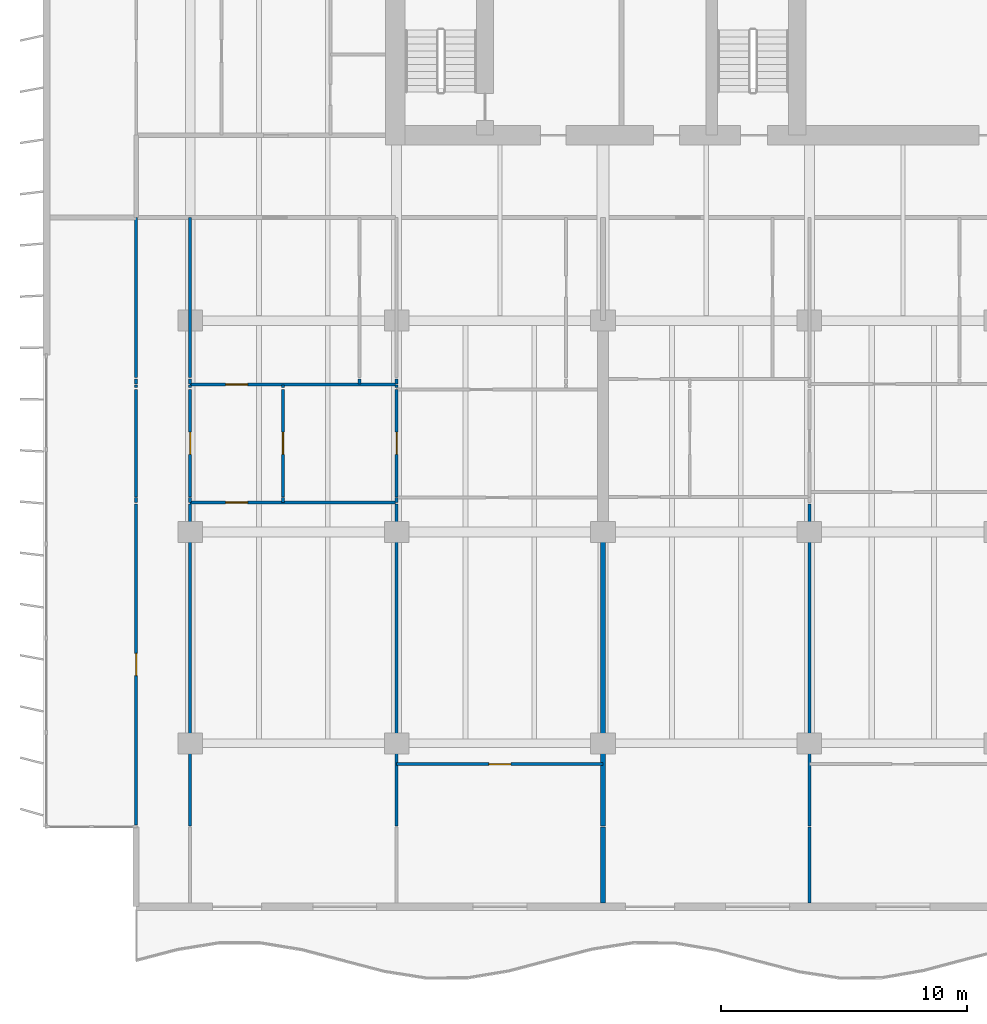
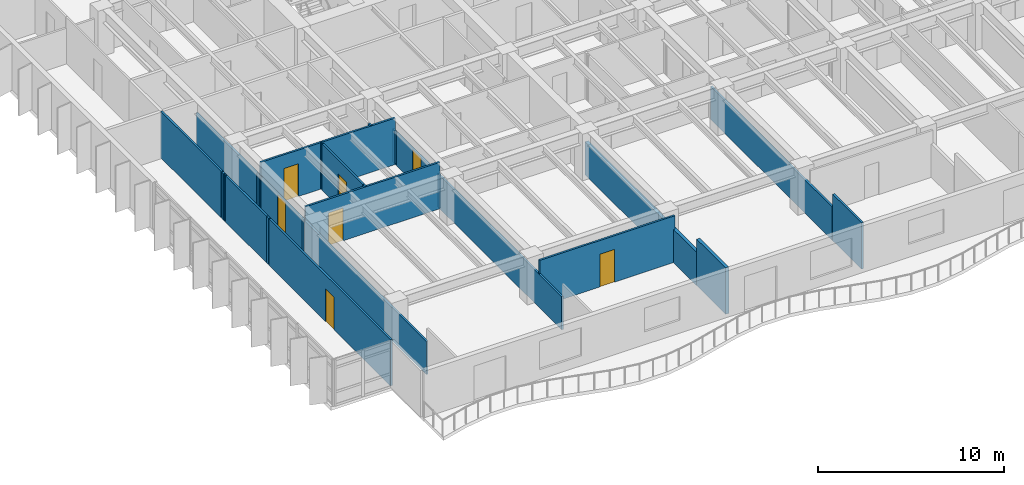
# One storey, part 6 of 20: 28 walls, 7 doors, 7 openings.
"""IFC4 building model written with IfcOpenShell, lengths in metres."""

import ifcopenshell
import ifcopenshell.guid

model = None  # the IFC model being written
_history = None  # IfcOwnerHistory: only IFC2X3 demands one
_inside = {}  # id of a spatial element -> (the spatial element, [elements in it])
_under = {}  # id of a project, library or spatial element -> (it, [spatial elements below it])
_declared = {}  # id of a project -> (the project, [libraries it declares])
_typed = {}  # id of a type object -> (the type object, [elements of that type])
_made_of = {}  # id of a material, layer set ... -> (it, [elements and type objects made of it])


def new_model(schema):
    """Start an empty IFC model of exactly this schema.

    Asked for "IFC4X3", IfcOpenShell would pick the latest addendum, in which some entities
    have other attributes; the version numbers below select the first issue.
    IFC2X3 requires an IfcOwnerHistory on every rooted entity: one is made here for all.
    """
    global model, _history
    if schema == "IFC4X3":
        model = ifcopenshell.file(schema_version=(4, 3, 0, 0))
    else:
        model = ifcopenshell.file(schema=schema)
    _inside.clear()
    _under.clear()
    _declared.clear()
    _typed.clear()
    _made_of.clear()
    _history = None
    if model.schema == "IFC2X3":
        org = make("IfcOrganization", Name="unknown")
        user = make(
            "IfcPersonAndOrganization",
            ThePerson=make("IfcPerson", FamilyName="unknown"),
            TheOrganization=org,
        )
        app = make(
            "IfcApplication",
            ApplicationDeveloper=org,
            Version="unknown",
            ApplicationFullName="unknown",
            ApplicationIdentifier="unknown",
        )
        _history = make(
            "IfcOwnerHistory",
            OwningUser=user,
            OwningApplication=app,
            ChangeAction="ADDED",
            CreationDate=0,
        )
    return model


def make(cls, **values):
    """One entity of the class cls with the attributes given. An attribute that is None is left unset."""
    return model.create_entity(
        cls, **{name: value for name, value in values.items() if value is not None}
    )


def rooted(cls, **values):
    """An entity with a GlobalId (a new one), such as an element, a storey or a relation."""
    return make(cls, GlobalId=ifcopenshell.guid.new(), OwnerHistory=_history, **values)


def si_unit(unit_type, name, prefix=None):
    """IfcSIUnit, for example si_unit("LENGTHUNIT", "METRE", prefix="MILLI")."""
    return make("IfcSIUnit", UnitType=unit_type, Prefix=prefix, Name=name)


def assignment(units):
    """IfcUnitAssignment: the units of a project."""
    return None if units is None else make("IfcUnitAssignment", Units=units)


def point(xyz):
    """IfcCartesianPoint."""
    return None if xyz is None else make("IfcCartesianPoint", Coordinates=xyz)


def direction(xyz):
    """IfcDirection."""
    return None if xyz is None else make("IfcDirection", DirectionRatios=xyz)


def frame(location, z_axis=None, x_axis=None):
    """IfcAxis2Placement3D, a coordinate frame: its origin and axes. An axis left out is left unset."""
    return make(
        "IfcAxis2Placement3D",
        Location=point(location),
        Axis=direction(z_axis),
        RefDirection=direction(x_axis),
    )


def frame_2d(location, x_axis=None):
    """IfcAxis2Placement2D, a coordinate frame in the plane: its origin and x axis."""
    return make(
        "IfcAxis2Placement2D", Location=point(location), RefDirection=direction(x_axis)
    )


def origin():
    """The frame at (0, 0, 0) with its axes left unset."""
    return frame((0.0, 0.0, 0.0))


def place(relative_to, where):
    """IfcLocalPlacement: puts the frame where relative to a parent placement (None: the world)."""
    return make(
        "IfcLocalPlacement", PlacementRelTo=relative_to, RelativePlacement=where
    )


def context(
    kind, dimensions, precision=None, world=None, true_north=None, identifier=None
):
    """IfcGeometricRepresentationContext, for example the 3D "Model" context."""
    return make(
        "IfcGeometricRepresentationContext",
        ContextIdentifier=identifier,
        ContextType=kind,
        CoordinateSpaceDimension=dimensions,
        Precision=precision,
        WorldCoordinateSystem=world,
        TrueNorth=true_north,
    )


def subcontext(parent, identifier, kind, view, scale=None):
    """IfcGeometricRepresentationSubContext, for example "Body" below "Model"."""
    return make(
        "IfcGeometricRepresentationSubContext",
        ContextIdentifier=identifier,
        ContextType=kind,
        ParentContext=parent,
        TargetScale=scale,
        TargetView=view,
    )


def project(units=None, contexts=None):
    """IfcProject with its units and contexts."""
    return rooted(
        "IfcProject",
        Name="project",
        RepresentationContexts=contexts,
        UnitsInContext=assignment(units),
    )


def spatial(cls, under=None, at=None, **own):
    """A site, building, storey or space (cls), placed at a placement, below another one or the project."""
    s = rooted(cls, ObjectPlacement=at, **own)
    if under is not None:
        _under.setdefault(under.id(), (under, []))[1].append(s)
    return s


def profile(cls, at=None, kind="AREA", **sizes):
    """A parametric profile (cls). Its sizes go by their IFC names, for example OverallWidth=200.0."""
    return make(cls, ProfileType=kind, Position=at, **sizes)


def rectangle(**sizes):
    """IfcRectangleProfileDef."""
    return profile("IfcRectangleProfileDef", **sizes)


def extrude(swept, where, along, depth):
    """IfcExtrudedAreaSolid: the profile swept, set in the frame where, extruded along a direction by depth."""
    return make(
        "IfcExtrudedAreaSolid",
        SweptArea=swept,
        Position=where,
        ExtrudedDirection=direction(along),
        Depth=depth,
    )


def shape(context_of_items, identifier, shape_type, items):
    """IfcShapeRepresentation: the items that make up one representation, for example the "Body"."""
    return make(
        "IfcShapeRepresentation",
        ContextOfItems=context_of_items,
        RepresentationIdentifier=identifier,
        RepresentationType=shape_type,
        Items=items,
    )


def material(Name=None, Category=None):
    """IfcMaterial."""
    return make("IfcMaterial", Name=Name, Category=Category)


def layer(
    of_material, thickness, ventilated=None, Name=None, Category=None, Priority=None
):
    """IfcMaterialLayer: one layer of a wall or slab, of a material (None: an air gap)."""
    return make(
        "IfcMaterialLayer",
        Material=of_material,
        LayerThickness=thickness,
        IsVentilated=ventilated,
        Name=Name,
        Category=Category,
        Priority=Priority,
    )


def layer_set(layers, Name=None):
    """IfcMaterialLayerSet."""
    return make("IfcMaterialLayerSet", MaterialLayers=layers, LayerSetName=Name)


def made_of(thing, what):
    """Note that an element or type object is made of a material, layer set ...; save() writes the relation."""
    if what is not None:
        _made_of.setdefault(what.id(), (what, []))[1].append(thing)
    return thing


def type_object(cls, material=None, **own):
    """A type object (cls), such as IfcWallType, which elements share."""
    return made_of(rooted(cls, **own), material)


def element(
    cls,
    number,
    at=None,
    inside=None,
    cuts=None,
    type_object=None,
    material=None,
    context=None,
    identifier="Body",
    shape_type=None,
    held_by="IfcProductDefinitionShape",
    body=None,
    shapes=None,
    **own,
):
    """One element of the class cls, such as IfcWall. Its Tag is "e" and its number.

    at: its placement. inside: the storey or other place that contains it. cuts: it is an
    opening in that element (IfcRelVoidsElement). A single representation is given by context,
    identifier, shape_type and body (its items); several are given by shapes. held_by: the class
    of the entity that holds the representations. save() writes the other relations.
    """
    e = rooted(cls, Tag="e%d" % number, ObjectPlacement=at, **own)
    if body is not None:
        shapes = [shape(context, identifier, shape_type, body)]
    if shapes is not None:
        e.Representation = make(held_by, Representations=shapes)
    if inside is not None:
        _inside.setdefault(inside.id(), (inside, []))[1].append(e)
    if cuts is not None:
        rooted(
            "IfcRelVoidsElement", RelatingBuildingElement=cuts, RelatedOpeningElement=e
        )
    if type_object is not None:
        _typed.setdefault(type_object.id(), (type_object, []))[1].append(e)
    return made_of(e, material)


def fill(opening, filler):
    """IfcRelFillsElement: the door or window that sits in an opening."""
    return rooted(
        "IfcRelFillsElement",
        RelatingOpeningElement=opening,
        RelatedBuildingElement=filler,
    )


def aggregate(whole, parts):
    """IfcRelAggregates: a whole, such as a stair, and the parts it consists of."""
    return rooted("IfcRelAggregates", RelatingObject=whole, RelatedObjects=parts)


def save(model, path):
    """Write the relations noted so far, then the file.

    IfcRelAggregates (storeys below a building ...), IfcRelContainedInSpatialStructure (elements
    in a storey), IfcRelDefinesByType, IfcRelAssociatesMaterial and IfcRelDeclares: one each for
    every whole, place, type object, material and project.
    """
    for whole, parts in _under.values():
        aggregate(whole, parts)
    for where, things in _inside.values():
        rooted(
            "IfcRelContainedInSpatialStructure",
            RelatedElements=things,
            RelatingStructure=where,
        )
    for kind, things in _typed.values():
        rooted("IfcRelDefinesByType", RelatedObjects=things, RelatingType=kind)
    for what, things in _made_of.values():
        rooted("IfcRelAssociatesMaterial", RelatedObjects=things, RelatingMaterial=what)
    for by, libraries in _declared.values():
        rooted("IfcRelDeclares", RelatingContext=by, RelatedDefinitions=libraries)
    model.write(path)


model = new_model("IFC4")

# Units and contexts
model_context = context("Model", 3, precision=1e-05, world=origin(), true_north=direction((0.0, 1.0)))
body_context = subcontext(model_context, "Body", "Model", "MODEL_VIEW")
ifc_project = project(units=[si_unit("LENGTHUNIT", "METRE"), si_unit("AREAUNIT", "SQUARE_METRE"), si_unit("VOLUMEUNIT", "CUBIC_METRE"), si_unit("PLANEANGLEUNIT", "RADIAN"), si_unit("MASSUNIT", "GRAM", prefix="KILO")], contexts=[model_context])

# Site, building, storey
site_placement = place(None, origin())
site = spatial("IfcSite", under=ifc_project, at=site_placement, CompositionType="ELEMENT")
building_placement = place(site_placement, origin())
building = spatial("IfcBuilding", under=site, at=building_placement, Name="Caelmar Bay Residences", CompositionType="ELEMENT")
storey_placement = place(building_placement, frame((0.0, 0.0, 119.10009765625)))
storey = spatial("IfcBuildingStorey", under=building, at=storey_placement, Name="L32", CompositionType="ELEMENT", Elevation=119.10009765625)

# Wall, opening, door
ifc_material_1 = material(Name="Acoustic metal-stud gypsum partition 120 mm")
ifc_layer_1 = layer(ifc_material_1, 0.1201171875)
ifc_layer_set_1 = layer_set([ifc_layer_1], Name="Acoustic metal-stud gypsum partition 120 mm")
wall_type_1 = type_object("IfcWallType", Name="W-PRT-120", PredefinedType="PARTITIONING", material=ifc_layer_set_1)
wall_1_placement = place(storey_placement, frame((7.699951171875, 8.885009765625, 0.0), z_axis=(0.0, 0.0, 1.0), x_axis=(0.0, 1.0, 0.0)))
wall_1 = element("IfcWall", 1, at=wall_1_placement, inside=storey, type_object=wall_type_1, Name="L32 Partition Wall V001", PredefinedType="PARTITIONING", context=body_context, shape_type="SweptSolid", body=[
    extrude(rectangle(XDim=13.044921875, YDim=0.1201171875, at=frame_2d((6.5224609375, 0.0))), origin(), (0.0, 0.0, 1.0), 3.0498046875),
])
opening_1_placement = place(wall_1_placement, frame((6.072509765625, 0.0, 0.0)))
opening_1 = element("IfcOpeningElement", 2, at=opening_1_placement, cuts=wall_1, Name="Opening D-L32-165", PredefinedType="OPENING", context=body_context, shape_type="SweptSolid", body=[
    extrude(rectangle(XDim=0.89990234375, YDim=2.14990234375, at=frame_2d((0.449951171875, 1.074951171875))), frame((0.0, 0.070068359375, 0.0), z_axis=(0.0, -1.0, 0.0), x_axis=(1.0, 0.0, 0.0)), (0.0, 0.0, 1.0), 0.14013671875),
])
ifc_material_2 = material(Name="Solid walnut timber interior door leaf and frame", Category="wood")
ifc_layer_2 = layer(ifc_material_2, 0.050048828125)
ifc_layer_set_2 = layer_set([ifc_layer_2], Name="Solid walnut timber interior door leaf and frame")
door_type = type_object("IfcDoorType", Name="D-ROOM-900", OperationType="NOTDEFINED", PredefinedType="DOOR", material=ifc_layer_set_2)
door_1_placement = place(opening_1_placement, origin())
door_1 = element("IfcDoor", 3, at=door_1_placement, inside=storey, type_object=door_type, Name="L32 Residence 01 Penthouse West Salon Door", OperationType="SINGLE_SWING_LEFT", OverallHeight=2.14990234375, OverallWidth=0.89990234375, PredefinedType="DOOR", context=body_context, shape_type="SweptSolid", body=[
    extrude(rectangle(XDim=0.89990234375, YDim=2.14990234375, at=frame_2d((0.449951171875, 1.074951171875))), frame((0.0, 0.02490234375, 0.0), z_axis=(0.0, -1.0, 0.0), x_axis=(1.0, 0.0, 0.0)), (0.0, 0.0, 1.0), 0.050048828125),
])
fill(opening_1, door_1)

# Walls
wall_2_placement = place(storey_placement, frame((7.699951171875, 22.0, 0.0), z_axis=(0.0, 0.0, 1.0), x_axis=(0.0, 1.0, 0.0)))
element("IfcWall", 4, at=wall_2_placement, inside=storey, type_object=wall_type_1, Name="L32 Partition Wall V002", PredefinedType="PARTITIONING", context=body_context, shape_type="SweptSolid", body=[
    extrude(rectangle(XDim=0.199951171875, YDim=0.1201171875, at=frame_2d((0.10009765625, 0.0))), origin(), (0.0, 0.0, 1.0), 3.0498046875),
])
wall_3_placement = place(storey_placement, frame((7.699951171875, 22.219970703125, 0.0), z_axis=(0.0, 0.0, 1.0), x_axis=(0.0, 1.0, 0.0)))
element("IfcWall", 5, at=wall_3_placement, inside=storey, type_object=wall_type_1, Name="L32 Partition Wall V003", PredefinedType="PARTITIONING", context=body_context, shape_type="SweptSolid", body=[
    extrude(rectangle(XDim=4.380126953125, YDim=0.1201171875, at=frame_2d((2.18994140625, 0.0))), origin(), (0.0, 0.0, 1.0), 3.0498046875),
])
wall_4_placement = place(storey_placement, frame((7.699951171875, 26.679931640625, 0.0), z_axis=(0.0, 0.0, 1.0), x_axis=(0.0, 1.0, 0.0)))
element("IfcWall", 6, at=wall_4_placement, inside=storey, type_object=wall_type_1, Name="L32 Partition Wall V004", PredefinedType="PARTITIONING", context=body_context, shape_type="SweptSolid", body=[
    extrude(rectangle(XDim=0.10009765625, YDim=0.1201171875, at=frame_2d((0.050048828125, 0.0))), origin(), (0.0, 0.0, 1.0), 3.0498046875),
])
wall_5_placement = place(storey_placement, frame((7.699951171875, 26.820068359375, 0.0), z_axis=(0.0, 0.0, 1.0), x_axis=(0.0, 1.0, 0.0)))
element("IfcWall", 7, at=wall_5_placement, inside=storey, type_object=wall_type_1, Name="L32 Partition Wall V005", PredefinedType="PARTITIONING", context=body_context, shape_type="SweptSolid", body=[
    extrude(rectangle(XDim=0.199951171875, YDim=0.1201171875, at=frame_2d((0.10009765625, 0.0))), origin(), (0.0, 0.0, 1.0), 3.0498046875),
])
wall_6_placement = place(storey_placement, frame((7.699951171875, 27.080078125, 0.0), z_axis=(0.0, 0.0, 1.0), x_axis=(0.0, 1.0, 0.0)))
element("IfcWall", 8, at=wall_6_placement, inside=storey, type_object=wall_type_1, Name="L32 Partition Wall V006", PredefinedType="PARTITIONING", context=body_context, shape_type="SweptSolid", body=[
    extrude(rectangle(XDim=6.52001953125, YDim=0.1201171875, at=frame_2d((3.260009765625, 0.0))), origin(), (0.0, 0.0, 1.0), 3.0498046875),
])
wall_7_placement = place(storey_placement, frame((9.89990234375, 8.840087890625, 0.0), z_axis=(0.0, 0.0, 1.0), x_axis=(0.0, 1.0, 0.0)))
element("IfcWall", 9, at=wall_7_placement, inside=storey, type_object=wall_type_1, Name="L32 Partition Wall V011", PredefinedType="PARTITIONING", context=body_context, shape_type="SweptSolid", body=[
    extrude(rectangle(XDim=13.08984375, YDim=0.1201171875, at=frame_2d((6.544921875, 0.0))), origin(), (0.0, 0.0, 1.0), 2.173828125),
])
wall_8_placement = place(storey_placement, frame((9.89990234375, 22.0, 0.0), z_axis=(0.0, 0.0, 1.0), x_axis=(0.0, 1.0, 0.0)))
element("IfcWall", 10, at=wall_8_placement, inside=storey, type_object=wall_type_1, Name="L32 Partition Wall V012", PredefinedType="PARTITIONING", context=body_context, shape_type="SweptSolid", body=[
    extrude(rectangle(XDim=0.199951171875, YDim=0.1201171875, at=frame_2d((0.10009765625, 0.0))), origin(), (0.0, 0.0, 1.0), 2.173828125),
])

# Wall, opening, door
wall_9_placement = place(storey_placement, frame((9.89990234375, 22.219970703125, 0.0), z_axis=(0.0, 0.0, 1.0), x_axis=(0.0, 1.0, 0.0)))
wall_9 = element("IfcWall", 11, at=wall_9_placement, inside=storey, type_object=wall_type_1, Name="L32 Partition Wall V013", PredefinedType="PARTITIONING", context=body_context, shape_type="SweptSolid", body=[
    extrude(rectangle(XDim=4.380126953125, YDim=0.1201171875, at=frame_2d((2.18994140625, 0.0))), origin(), (0.0, 0.0, 1.0), 2.173828125),
])
opening_2_placement = place(wall_9_placement, frame((1.739990234375, 0.0, 0.0)))
opening_2 = element("IfcOpeningElement", 12, at=opening_2_placement, cuts=wall_9, Name="Opening D-L32-132", PredefinedType="OPENING", context=body_context, shape_type="SweptSolid", body=[
    extrude(rectangle(XDim=0.89990234375, YDim=2.1240234375, at=frame_2d((0.449951171875, 1.06201171875))), frame((0.0, 0.070068359375, 0.0), z_axis=(0.0, -1.0, 0.0), x_axis=(1.0, 0.0, 0.0)), (0.0, 0.0, 1.0), 0.14013671875),
])
door_2_placement = place(opening_2_placement, origin())
door_2 = element("IfcDoor", 13, at=door_2_placement, inside=storey, type_object=door_type, Name="L32 Residence 01 West Apartment Hall Door", OperationType="SINGLE_SWING_RIGHT", OverallHeight=2.1240234375, OverallWidth=0.89990234375, PredefinedType="DOOR", context=body_context, shape_type="SweptSolid", body=[
    extrude(rectangle(XDim=0.89990234375, YDim=2.1240234375, at=frame_2d((0.449951171875, 1.06201171875))), frame((0.0, 0.02490234375, 0.0), z_axis=(0.0, -1.0, 0.0), x_axis=(1.0, 0.0, 0.0)), (0.0, 0.0, 1.0), 0.050048828125),
])
fill(opening_2, door_2)

# Walls
wall_10_placement = place(storey_placement, frame((9.89990234375, 26.679931640625, 0.0), z_axis=(0.0, 0.0, 1.0), x_axis=(0.0, 1.0, 0.0)))
element("IfcWall", 14, at=wall_10_placement, inside=storey, type_object=wall_type_1, Name="L32 Partition Wall V014", PredefinedType="PARTITIONING", context=body_context, shape_type="SweptSolid", body=[
    extrude(rectangle(XDim=0.10009765625, YDim=0.1201171875, at=frame_2d((0.050048828125, 0.0))), origin(), (0.0, 0.0, 1.0), 2.173828125),
])
wall_11_placement = place(storey_placement, frame((9.89990234375, 26.820068359375, 0.0), z_axis=(0.0, 0.0, 1.0), x_axis=(0.0, 1.0, 0.0)))
element("IfcWall", 15, at=wall_11_placement, inside=storey, type_object=wall_type_1, Name="L32 Partition Wall V015", PredefinedType="PARTITIONING", context=body_context, shape_type="SweptSolid", body=[
    extrude(rectangle(XDim=0.199951171875, YDim=0.1201171875, at=frame_2d((0.10009765625, 0.0))), origin(), (0.0, 0.0, 1.0), 2.173828125),
])
wall_12_placement = place(storey_placement, frame((9.89990234375, 27.080078125, 0.0), z_axis=(0.0, 0.0, 1.0), x_axis=(0.0, 1.0, 0.0)))
element("IfcWall", 16, at=wall_12_placement, inside=storey, type_object=wall_type_1, Name="L32 Partition Wall V016", PredefinedType="PARTITIONING", context=body_context, shape_type="SweptSolid", body=[
    extrude(rectangle(XDim=6.52001953125, YDim=0.1201171875, at=frame_2d((3.260009765625, 0.0))), origin(), (0.0, 0.0, 1.0), 2.173828125),
])
wall_13_placement = place(storey_placement, frame((13.679931640625, 22.0, 0.0), z_axis=(0.0, 0.0, 1.0), x_axis=(0.0, 1.0, 0.0)))
element("IfcWall", 17, at=wall_13_placement, inside=storey, type_object=wall_type_1, Name="L32 Partition Wall V018", PredefinedType="PARTITIONING", context=body_context, shape_type="SweptSolid", body=[
    extrude(rectangle(XDim=0.199951171875, YDim=0.1201171875, at=frame_2d((0.10009765625, 0.0))), origin(), (0.0, 0.0, 1.0), 3.0498046875),
])

# Wall, opening, door
wall_14_placement = place(storey_placement, frame((13.679931640625, 22.219970703125, 0.0), z_axis=(0.0, 0.0, 1.0), x_axis=(0.0, 1.0, 0.0)))
wall_14 = element("IfcWall", 18, at=wall_14_placement, inside=storey, type_object=wall_type_1, Name="L32 Partition Wall V019", PredefinedType="PARTITIONING", context=body_context, shape_type="SweptSolid", body=[
    extrude(rectangle(XDim=4.380126953125, YDim=0.1201171875, at=frame_2d((2.18994140625, 0.0))), origin(), (0.0, 0.0, 1.0), 3.0498046875),
])
opening_3_placement = place(wall_14_placement, frame((1.739990234375, 0.0, 0.0)))
opening_3 = element("IfcOpeningElement", 19, at=opening_3_placement, cuts=wall_14, Name="Opening D-L32-125", PredefinedType="OPENING", context=body_context, shape_type="SweptSolid", body=[
    extrude(rectangle(XDim=0.89990234375, YDim=2.14990234375, at=frame_2d((0.449951171875, 1.074951171875))), frame((0.0, 0.070068359375, 0.0), z_axis=(0.0, -1.0, 0.0), x_axis=(1.0, 0.0, 0.0)), (0.0, 0.0, 1.0), 0.14013671875),
])
door_3_placement = place(opening_3_placement, origin())
door_3 = element("IfcDoor", 20, at=door_3_placement, inside=storey, type_object=door_type, Name="L32 Residence 01 Kitchen Door", OperationType="SINGLE_SWING_LEFT", OverallHeight=2.14990234375, OverallWidth=0.89990234375, PredefinedType="DOOR", context=body_context, shape_type="SweptSolid", body=[
    extrude(rectangle(XDim=0.89990234375, YDim=2.14990234375, at=frame_2d((0.449951171875, 1.074951171875))), frame((0.0, 0.02490234375, 0.0), z_axis=(0.0, -1.0, 0.0), x_axis=(1.0, 0.0, 0.0)), (0.0, 0.0, 1.0), 0.050048828125),
])
fill(opening_3, door_3)

# Walls
wall_15_placement = place(storey_placement, frame((13.679931640625, 26.679931640625, 0.0), z_axis=(0.0, 0.0, 1.0), x_axis=(0.0, 1.0, 0.0)))
element("IfcWall", 21, at=wall_15_placement, inside=storey, type_object=wall_type_1, Name="L32 Partition Wall V020", PredefinedType="PARTITIONING", context=body_context, shape_type="SweptSolid", body=[
    extrude(rectangle(XDim=0.10009765625, YDim=0.1201171875, at=frame_2d((0.050048828125, 0.0))), origin(), (0.0, 0.0, 1.0), 3.0498046875),
])
wall_16_placement = place(storey_placement, frame((16.784912109375, 26.820068359375, 0.0), z_axis=(0.0, 0.0, 1.0), x_axis=(0.0, 1.0, 0.0)))
element("IfcWall", 22, at=wall_16_placement, inside=storey, type_object=wall_type_1, Name="L32 Partition Wall V022", PredefinedType="PARTITIONING", context=body_context, shape_type="SweptSolid", body=[
    extrude(rectangle(XDim=0.199951171875, YDim=0.1201171875, at=frame_2d((0.10009765625, 0.0))), origin(), (0.0, 0.0, 1.0), 3.0498046875),
])
wall_17_placement = place(storey_placement, frame((18.300048828125, 8.840087890625, 0.0), z_axis=(0.0, 0.0, 1.0), x_axis=(0.0, 1.0, 0.0)))
element("IfcWall", 23, at=wall_17_placement, inside=storey, type_object=wall_type_1, Name="L32 Partition Wall V025", PredefinedType="PARTITIONING", context=body_context, shape_type="SweptSolid", body=[
    extrude(rectangle(XDim=13.08984375, YDim=0.1201171875, at=frame_2d((6.544921875, 0.0))), origin(), (0.0, 0.0, 1.0), 2.173828125),
])
wall_18_placement = place(storey_placement, frame((18.300048828125, 22.0, 0.0), z_axis=(0.0, 0.0, 1.0), x_axis=(0.0, 1.0, 0.0)))
element("IfcWall", 24, at=wall_18_placement, inside=storey, type_object=wall_type_1, Name="L32 Partition Wall V026", PredefinedType="PARTITIONING", context=body_context, shape_type="SweptSolid", body=[
    extrude(rectangle(XDim=0.199951171875, YDim=0.1201171875, at=frame_2d((0.10009765625, 0.0))), origin(), (0.0, 0.0, 1.0), 2.173828125),
])

# Wall, opening, door
wall_19_placement = place(storey_placement, frame((18.300048828125, 22.219970703125, 0.0), z_axis=(0.0, 0.0, 1.0), x_axis=(0.0, 1.0, 0.0)))
wall_19 = element("IfcWall", 25, at=wall_19_placement, inside=storey, type_object=wall_type_1, Name="L32 Partition Wall V027", PredefinedType="PARTITIONING", context=body_context, shape_type="SweptSolid", body=[
    extrude(rectangle(XDim=4.380126953125, YDim=0.1201171875, at=frame_2d((2.18994140625, 0.0))), origin(), (0.0, 0.0, 1.0), 2.173828125),
])
opening_4_placement = place(wall_19_placement, frame((1.739990234375, 0.0, 0.0)))
opening_4 = element("IfcOpeningElement", 26, at=opening_4_placement, cuts=wall_19, Name="Opening D-L32-127", PredefinedType="OPENING", context=body_context, shape_type="SweptSolid", body=[
    extrude(rectangle(XDim=0.89990234375, YDim=2.1240234375, at=frame_2d((0.449951171875, 1.06201171875))), frame((0.0, 0.070068359375, 0.0), z_axis=(0.0, -1.0, 0.0), x_axis=(1.0, 0.0, 0.0)), (0.0, 0.0, 1.0), 0.14013671875),
])
door_4_placement = place(opening_4_placement, origin())
door_4 = element("IfcDoor", 27, at=door_4_placement, inside=storey, type_object=door_type, Name="L32 Residence 01 Conference Study 1 Door", OperationType="SINGLE_SWING_LEFT", OverallHeight=2.1240234375, OverallWidth=0.89990234375, PredefinedType="DOOR", context=body_context, shape_type="SweptSolid", body=[
    extrude(rectangle(XDim=0.89990234375, YDim=2.1240234375, at=frame_2d((0.449951171875, 1.06201171875))), frame((0.0, 0.02490234375, 0.0), z_axis=(0.0, -1.0, 0.0), x_axis=(1.0, 0.0, 0.0)), (0.0, 0.0, 1.0), 0.050048828125),
])
fill(opening_4, door_4)

# Walls
wall_20_placement = place(storey_placement, frame((18.300048828125, 26.679931640625, 0.0), z_axis=(0.0, 0.0, 1.0), x_axis=(0.0, 1.0, 0.0)))
element("IfcWall", 28, at=wall_20_placement, inside=storey, type_object=wall_type_1, Name="L32 Partition Wall V028", PredefinedType="PARTITIONING", context=body_context, shape_type="SweptSolid", body=[
    extrude(rectangle(XDim=0.10009765625, YDim=0.1201171875, at=frame_2d((0.050048828125, 0.0))), origin(), (0.0, 0.0, 1.0), 2.173828125),
])
wall_21_placement = place(storey_placement, frame((18.300048828125, 26.820068359375, 0.0), z_axis=(0.0, 0.0, 1.0), x_axis=(0.0, 1.0, 0.0)))
element("IfcWall", 29, at=wall_21_placement, inside=storey, type_object=wall_type_1, Name="L32 Partition Wall V029", PredefinedType="PARTITIONING", context=body_context, shape_type="SweptSolid", body=[
    extrude(rectangle(XDim=0.199951171875, YDim=0.1201171875, at=frame_2d((0.10009765625, 0.0))), origin(), (0.0, 0.0, 1.0), 2.173828125),
])
wall_22_placement = place(storey_placement, frame((35.10009765625, 5.695068359375, 0.0), z_axis=(0.0, 0.0, 1.0), x_axis=(0.0, 1.0, 0.0)))
element("IfcWall", 30, at=wall_22_placement, inside=storey, type_object=wall_type_1, Name="L32 Partition Wall V046", PredefinedType="PARTITIONING", context=body_context, shape_type="SweptSolid", body=[
    extrude(rectangle(XDim=3.10498046875, YDim=0.1201171875, at=frame_2d((1.552490234375, 0.0))), origin(), (0.0, 0.0, 1.0), 3.0498046875),
])
wall_23_placement = place(storey_placement, frame((35.10009765625, 8.840087890625, 0.0), z_axis=(0.0, 0.0, 1.0), x_axis=(0.0, 1.0, 0.0)))
element("IfcWall", 31, at=wall_23_placement, inside=storey, type_object=wall_type_1, Name="L32 Partition Wall V047", PredefinedType="PARTITIONING", context=body_context, shape_type="SweptSolid", body=[
    extrude(rectangle(XDim=13.08984375, YDim=0.1201171875, at=frame_2d((6.544921875, 0.0))), origin(), (0.0, 0.0, 1.0), 2.173828125),
])

# Wall, opening, door
wall_24_placement = place(storey_placement, frame((18.300048828125, 11.35009765625, 0.0), z_axis=(0.0, 0.0, 1.0), x_axis=(1.0, 0.0, 0.0)))
wall_24 = element("IfcWall", 32, at=wall_24_placement, inside=storey, type_object=wall_type_1, Name="L32 Partition Wall H124", PredefinedType="PARTITIONING", context=body_context, shape_type="SweptSolid", body=[
    extrude(rectangle(XDim=8.39990234375, YDim=0.1201171875, at=frame_2d((4.199951171875, 0.0))), origin(), (0.0, 0.0, 1.0), 3.0498046875),
])
opening_5_placement = place(wall_24_placement, frame((3.75, 0.0, 0.0)))
opening_5 = element("IfcOpeningElement", 33, at=opening_5_placement, cuts=wall_24, Name="Opening D-L32-131", PredefinedType="OPENING", context=body_context, shape_type="SweptSolid", body=[
    extrude(rectangle(XDim=0.89990234375, YDim=2.14990234375, at=frame_2d((0.449951171875, 1.074951171875))), frame((0.0, 0.070068359375, 0.0), z_axis=(0.0, -1.0, 0.0), x_axis=(1.0, 0.0, 0.0)), (0.0, 0.0, 1.0), 0.14013671875),
])
door_5_placement = place(opening_5_placement, origin())
door_5 = element("IfcDoor", 34, at=door_5_placement, inside=storey, type_object=door_type, Name="L32 Residence 01 Primary Bedroom 1 Door", OperationType="SINGLE_SWING_LEFT", OverallHeight=2.14990234375, OverallWidth=0.89990234375, PredefinedType="DOOR", context=body_context, shape_type="SweptSolid", body=[
    extrude(rectangle(XDim=0.89990234375, YDim=2.14990234375, at=frame_2d((0.449951171875, 1.074951171875))), frame((0.0, 0.02490234375, 0.0), z_axis=(0.0, -1.0, 0.0), x_axis=(1.0, 0.0, 0.0)), (0.0, 0.0, 1.0), 0.050048828125),
])
fill(opening_5, door_5)

wall_25_placement = place(storey_placement, frame((9.89990234375, 22.0, 0.0), z_axis=(0.0, 0.0, 1.0), x_axis=(1.0, 0.0, 0.0)))
wall_25 = element("IfcWall", 35, at=wall_25_placement, inside=storey, type_object=wall_type_1, Name="L32 Partition Wall H132", PredefinedType="PARTITIONING", context=body_context, shape_type="SweptSolid", body=[
    extrude(rectangle(XDim=8.35009765625, YDim=0.1201171875, at=frame_2d((4.175048828125, 0.0))), origin(), (0.0, 0.0, 1.0), 3.0498046875),
])
opening_6_placement = place(wall_25_placement, frame((1.43994140625, 0.0, 0.0)))
opening_6 = element("IfcOpeningElement", 36, at=opening_6_placement, cuts=wall_25, Name="Opening D-L32-126", PredefinedType="OPENING", context=body_context, shape_type="SweptSolid", body=[
    extrude(rectangle(XDim=0.89990234375, YDim=2.14990234375, at=frame_2d((0.449951171875, 1.074951171875))), frame((0.0, 0.070068359375, 0.0), z_axis=(0.0, -1.0, 0.0), x_axis=(1.0, 0.0, 0.0)), (0.0, 0.0, 1.0), 0.14013671875),
])
door_6_placement = place(opening_6_placement, origin())
door_6 = element("IfcDoor", 37, at=door_6_placement, inside=storey, type_object=door_type, Name="L32 Residence 01 Penthouse Living Salon Door", OperationType="SINGLE_SWING_RIGHT", OverallHeight=2.14990234375, OverallWidth=0.89990234375, PredefinedType="DOOR", context=body_context, shape_type="SweptSolid", body=[
    extrude(rectangle(XDim=0.89990234375, YDim=2.14990234375, at=frame_2d((0.449951171875, 1.074951171875))), frame((0.0, 0.02490234375, 0.0), z_axis=(0.0, -1.0, 0.0), x_axis=(1.0, 0.0, 0.0)), (0.0, 0.0, 1.0), 0.050048828125),
])
fill(opening_6, door_6)

wall_26_placement = place(storey_placement, frame((9.89990234375, 26.800048828125, 0.0), z_axis=(0.0, 0.0, 1.0), x_axis=(1.0, 0.0, 0.0)))
wall_26 = element("IfcWall", 38, at=wall_26_placement, inside=storey, type_object=wall_type_1, Name="L32 Partition Wall H139", PredefinedType="PARTITIONING", context=body_context, shape_type="SweptSolid", body=[
    extrude(rectangle(XDim=8.35009765625, YDim=0.1201171875, at=frame_2d((4.175048828125, 0.0))), origin(), (0.0, 0.0, 1.0), 3.0498046875),
])
opening_7_placement = place(wall_26_placement, frame((1.43994140625, 0.0, 0.0)))
opening_7 = element("IfcOpeningElement", 39, at=opening_7_placement, cuts=wall_26, Name="Opening D-L32-124", PredefinedType="OPENING", context=body_context, shape_type="SweptSolid", body=[
    extrude(rectangle(XDim=0.89990234375, YDim=2.14990234375, at=frame_2d((0.449951171875, 1.074951171875))), frame((0.0, 0.070068359375, 0.0), z_axis=(0.0, -1.0, 0.0), x_axis=(1.0, 0.0, 0.0)), (0.0, 0.0, 1.0), 0.14013671875),
])
door_7_placement = place(opening_7_placement, origin())
door_7 = element("IfcDoor", 40, at=door_7_placement, inside=storey, type_object=door_type, Name="L32 Residence 01 Dining Room Door", OperationType="SINGLE_SWING_RIGHT", OverallHeight=2.14990234375, OverallWidth=0.89990234375, PredefinedType="DOOR", context=body_context, shape_type="SweptSolid", body=[
    extrude(rectangle(XDim=0.89990234375, YDim=2.14990234375, at=frame_2d((0.449951171875, 1.074951171875))), frame((0.0, 0.02490234375, 0.0), z_axis=(0.0, -1.0, 0.0), x_axis=(1.0, 0.0, 0.0)), (0.0, 0.0, 1.0), 0.050048828125),
])
fill(opening_7, door_7)

# Walls
ifc_material_3 = material(Name="Acoustic twin-stud fire-rated inter-tenancy partition 200 mm")
ifc_layer_3 = layer(ifc_material_3, 0.199951171875)
ifc_layer_set_3 = layer_set([ifc_layer_3], Name="Acoustic twin-stud fire-rated inter-tenancy partition 200 mm")
wall_type_2 = type_object("IfcWallType", Name="W-PTY-200", PredefinedType="PARTITIONING", material=ifc_layer_set_3)
wall_27_placement = place(storey_placement, frame((26.699951171875, 5.695068359375, 0.0), z_axis=(0.0, 0.0, 1.0), x_axis=(0.0, 1.0, 0.0)))
element("IfcWall", 41, at=wall_27_placement, inside=storey, type_object=wall_type_2, Name="L32 Partition Wall V036", PredefinedType="PARTITIONING", context=body_context, shape_type="SweptSolid", body=[
    extrude(rectangle(XDim=3.10498046875, YDim=0.199951171875, at=frame_2d((1.552490234375, 0.0))), origin(), (0.0, 0.0, 1.0), 3.0498046875),
])
wall_28_placement = place(storey_placement, frame((26.699951171875, 8.840087890625, 0.0), z_axis=(0.0, 0.0, 1.0), x_axis=(0.0, 1.0, 0.0)))
element("IfcWall", 42, at=wall_28_placement, inside=storey, type_object=wall_type_2, Name="L32 Partition Wall V037", PredefinedType="PARTITIONING", context=body_context, shape_type="SweptSolid", body=[
    extrude(rectangle(XDim=11.954833984375, YDim=0.199951171875, at=frame_2d((5.9775390625, 0.0))), origin(), (0.0, 0.0, 1.0), 2.173828125),
])

save(model, "model.ifc")
